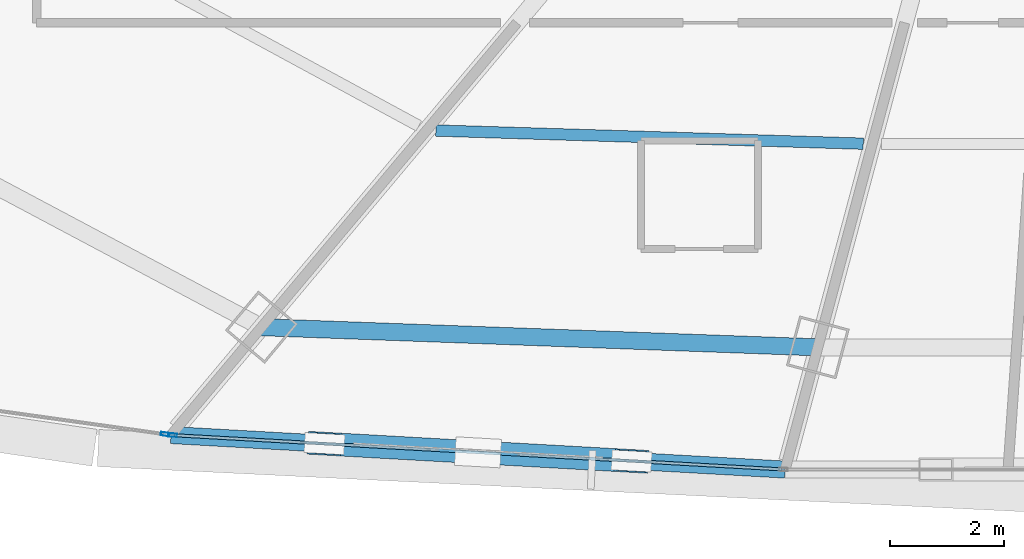
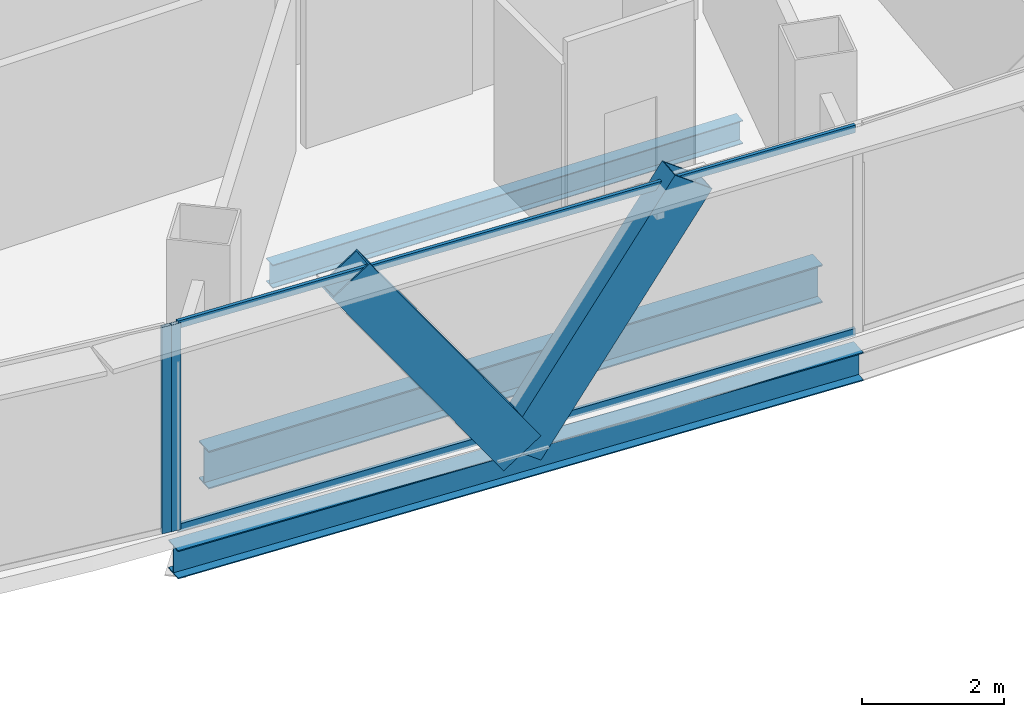
# One storey, part 6 of 40: 6 members, 3 beams, 2 elements without a shape of their own.
"""IFC4 building model written with IfcOpenShell, lengths in metres."""

from ifc_helpers import new_model, si_unit, direction, frame, origin, origin_2d, place, context, subcontext, project, spatial, hollow_rectangle, i_section, extrude, source, transform, mapped, material, layer, layer_set, material_profile, profile_set, type_object, element, aggregate, save


model = new_model("IFC4")

# Units and contexts
model_context = context("Model", 3, precision=1e-05, world=origin(), true_north=direction((0.0, 1.0)))
body_context = subcontext(model_context, "Body", "Model", "MODEL_VIEW")
ifc_project = project(units=[si_unit("LENGTHUNIT", "METRE"), si_unit("AREAUNIT", "SQUARE_METRE"), si_unit("VOLUMEUNIT", "CUBIC_METRE"), si_unit("PLANEANGLEUNIT", "RADIAN"), si_unit("MASSUNIT", "GRAM", prefix="KILO"), si_unit("THERMODYNAMICTEMPERATUREUNIT", "KELVIN"), si_unit("POWERUNIT", "WATT")], contexts=[model_context])

# Site, building, storey
site_placement = place(None, origin())
site = spatial("IfcSite", under=ifc_project, at=site_placement, CompositionType="ELEMENT")
building_placement = place(site_placement, origin())
building = spatial("IfcBuilding", under=site, at=building_placement, Name="Yunzhuo Pagoda Commons", CompositionType="ELEMENT")
storey_placement = place(building_placement, frame((0.0, 0.0, 184.760009765625)))
storey = spatial("IfcBuildingStorey", under=building, at=storey_placement, Name="L46", CompositionType="ELEMENT", Elevation=184.760009765625)

# Beams
ifc_material_1 = material(Name="Structural steel Q355B", Category="steel")
ifc_material_profile_1 = material_profile(ifc_material_1, i_section(OverallWidth=0.300048828125, OverallDepth=0.488037109375, WebThickness=0.010986328125, FlangeThickness=0.01806640625, at=origin_2d()), Name="Structural steel Q355B")
ifc_profile_set_1 = profile_set([ifc_material_profile_1], Name="Structural steel Q355B")
beam_type_1 = type_object("IfcBeamType", Name="B-SP1 Beam HM 488x300x11x18", PredefinedType="BEAM", material=ifc_profile_set_1)
shared_shape_1 = source(origin(), body_context, "Body", "SweptSolid", [
    extrude(i_section(OverallWidth=0.300048828125, OverallDepth=0.488037109375, WebThickness=0.010986328125, FlangeThickness=0.01806640625, at=origin_2d()), origin(), (0.0, 0.0, 1.0), 10.77783203125),
])
beam_1_placement = place(storey_placement, frame((31.95263671875, 14.57568359375, -0.503662109375), z_axis=(0.998422062391, -0.056155011631, 0.0), x_axis=(0.056155011631, 0.998422062391, 0.0)))
element("IfcBeam", 1, at=beam_1_placement, inside=storey, type_object=beam_type_1, Name="L46 facade edge spandrel beam F1.1", PredefinedType="BEAM", context=body_context, shape_type="MappedRepresentation", body=[
    mapped(shared_shape_1, transform((0.0, 0.0, 0.0), scale=1.0)),
])
ifc_material_profile_2 = material_profile(ifc_material_1, i_section(OverallWidth=0.300048828125, OverallDepth=0.64990234375, WebThickness=0.012939453125, FlangeThickness=0.02197265625, at=origin_2d()), Name="Structural steel Q355B")
ifc_profile_set_2 = profile_set([ifc_material_profile_2], Name="Structural steel Q355B")
beam_type_2 = type_object("IfcBeamType", Name="B-RG2 Beam HN 650x300x13x22", PredefinedType="BEAM", material=ifc_profile_set_2)
shared_shape_2 = source(origin(), body_context, "Body", "SweptSolid", [
    extrude(i_section(OverallWidth=0.300048828125, OverallDepth=0.64990234375, WebThickness=0.012939453125, FlangeThickness=0.02197265625, at=origin_2d()), origin(), (0.0, 0.0, 1.0), 9.755126953125),
])
beam_2_placement = place(storey_placement, frame((33.538818359375, 16.4658203125, -0.5849609375), z_axis=(0.999343161351, -0.036238734258, 0.0), x_axis=(0.036238734258, 0.999343161351, 0.0)))
element("IfcBeam", 2, at=beam_2_placement, inside=storey, type_object=beam_type_2, Name="L46 column-ring beam 1", PredefinedType="BEAM", context=body_context, shape_type="MappedRepresentation", body=[
    mapped(shared_shape_2, transform((0.0, 0.0, 0.0), scale=1.0)),
])
ifc_material_profile_3 = material_profile(ifc_material_1, i_section(OverallWidth=0.199951171875, OverallDepth=0.39990234375, WebThickness=0.008056640625, FlangeThickness=0.012939453125, at=origin_2d()), Name="Structural steel Q355B")
ifc_profile_set_3 = profile_set([ifc_material_profile_3], Name="Structural steel Q355B")
beam_type_3 = type_object("IfcBeamType", Name="B-JS1 Joist HN 400x200x8x13", PredefinedType="JOIST", material=ifc_profile_set_3)
shared_shape_3 = source(origin(), body_context, "Body", "SweptSolid", [
    extrude(i_section(OverallWidth=0.199951171875, OverallDepth=0.39990234375, WebThickness=0.008056640625, FlangeThickness=0.012939453125, at=origin_2d()), origin(), (0.0, 0.0, 1.0), 7.49365234375),
])
beam_3_placement = place(storey_placement, frame((36.593505859375, 19.911865234375, -0.4599609375), z_axis=(0.99952593018, -0.030788226605, 0.0), x_axis=(0.030788226605, 0.99952593018, 0.0)))
element("IfcBeam", 3, at=beam_3_placement, inside=storey, type_object=beam_type_3, Name="L46 composite ring joist 2.1", PredefinedType="JOIST", context=body_context, shape_type="MappedRepresentation", body=[
    mapped(shared_shape_3, transform((0.0, 0.0, 0.0), scale=1.0)),
])

# Members
ifc_material_profile_4 = material_profile(ifc_material_1, hollow_rectangle(XDim=0.39990234375, YDim=0.719970703125, WallThickness=0.02392578125, at=origin_2d()), Name="Structural steel Q355B")
ifc_profile_set_4 = profile_set([ifc_material_profile_4], Name="Structural steel Q355B")
member_type_1 = type_object("IfcMemberType", Name="M-DL2 Brace BOX 720x400x24", PredefinedType="BRACE", material=ifc_profile_set_4)
shared_shape_4 = source(origin(), body_context, "Body", "SweptSolid", [
    extrude(hollow_rectangle(XDim=0.39990234375, YDim=0.719970703125, WallThickness=0.02392578125, at=origin_2d()), origin(), (0.0, 0.0, 1.0), 4.658447265625),
])
for number, where, z_axis, x_axis, name in (
    (4, (37.3330078125, 14.27294921875, -0.260009765625), (-0.577495429788, 0.032493617068, 0.815747015578), (-0.056177592441, -0.998420792105, 0.0), "L46 facade diamond brace F1.1L"),
    (5, (37.3330078125, 14.27294921875, -0.260009765625), (0.577495429788, -0.032493617068, 0.815747015578), (0.056177592441, 0.998420792105, 0.0), "L46 facade diamond brace F1.1R"),
):
    element("IfcMember", number, at=place(storey_placement, frame(where, z_axis=z_axis, x_axis=x_axis)), inside=storey, type_object=member_type_1, Name=name, PredefinedType="BRACE", context=body_context, shape_type="MappedRepresentation", body=[
        mapped(shared_shape_4, transform((0.0, 0.0, 0.0), scale=1.0)),
    ])

# Curtain wall, member
ifc_material_2 = material(Name="Anodized aluminium 6063-T6", Category="aluminium")
ifc_layer = layer(ifc_material_2, 0.14990234375)
ifc_layer_set = layer_set([ifc_layer], Name="Anodized aluminium 6063-T6")
curtain_wall_type = type_object("IfcCurtainWallType", Name="CW-MID Mid-Zone Ribbon Curtain Wall", PredefinedType="NOTDEFINED", material=ifc_layer_set)
curtain_wall_1_placement = place(storey_placement, origin())
curtain_wall_1 = element("IfcCurtainWall", 6, at=curtain_wall_1_placement, inside=storey, type_object=curtain_wall_type, Name="L46 curtain wall CW-L46-F1B2", PredefinedType="NOTDEFINED")
ifc_material_profile_5 = material_profile(ifc_material_2, hollow_rectangle(XDim=0.06005859375, YDim=0.14990234375, WallThickness=0.00390625, at=origin_2d()), Name="Anodized aluminium 6063-T6")
ifc_profile_set_5 = profile_set([ifc_material_profile_5], Name="Anodized aluminium 6063-T6")
member_type_2 = type_object("IfcMemberType", Name="CW-MID-M Mullion RHS 150x60x4", PredefinedType="MULLION", material=ifc_profile_set_5)
shared_shape_5 = source(origin(), body_context, "Body", "SweptSolid", [
    extrude(hollow_rectangle(XDim=0.06005859375, YDim=0.14990234375, WallThickness=0.00390625, at=origin_2d()), origin(), (0.0, 0.0, 1.0), 3.5400390625),
])
member_1_placement = place(storey_placement, frame((31.982666015625, 14.573974609375, 0.0), z_axis=(0.0, 0.0, 1.0), x_axis=(0.056142665584, 0.998422756702, 0.0)))
member_1 = element("IfcMember", 7, at=member_1_placement, type_object=member_type_2, Name="CW mullion 1", PredefinedType="MULLION", context=body_context, shape_type="MappedRepresentation", body=[
    mapped(shared_shape_5, transform((0.0, 0.0, 0.0), scale=1.0)),
])

curtain_wall_2_placement = place(storey_placement, origin())
curtain_wall_2 = element("IfcCurtainWall", 8, at=curtain_wall_2_placement, inside=storey, type_object=curtain_wall_type, Name="L46 curtain wall CW-L46-F1B1", PredefinedType="NOTDEFINED")
member_2_placement = place(storey_placement, frame((31.8486328125, 14.590087890625, 0.0), z_axis=(0.0, 0.0, 1.0), x_axis=(0.139233100351, 0.990259634524, 0.0)))
member_2 = element("IfcMember", 9, at=member_2_placement, type_object=member_type_2, Name="CW mullion 2", PredefinedType="MULLION", context=body_context, shape_type="MappedRepresentation", body=[
    mapped(shared_shape_5, transform((0.0, 0.0, 0.0), scale=1.0)),
])
aggregate(curtain_wall_2, [member_2])

# Member
ifc_material_profile_6 = material_profile(ifc_material_2, hollow_rectangle(XDim=0.054931640625, YDim=0.1298828125, WallThickness=0.00341796875, at=origin_2d()), Name="Anodized aluminium 6063-T6")
ifc_profile_set_6 = profile_set([ifc_material_profile_6], Name="Anodized aluminium 6063-T6")
member_type_3 = type_object("IfcMemberType", Name="CW-MID-T Transom RHS 130x55x3.5", PredefinedType="USERDEFINED", material=ifc_profile_set_6)
shared_shape_6 = source(origin(), body_context, "Body", "SweptSolid", [
    extrude(hollow_rectangle(XDim=0.054931640625, YDim=0.1298828125, WallThickness=0.00341796875, at=origin_2d()), origin(), (0.0, 0.0, 1.0), 10.658203125),
])
member_3_placement = place(storey_placement, frame((32.012451171875, 14.572265625, 0.027587890625), z_axis=(0.998422700359, -0.056143667575, 0.0), x_axis=(0.056143667575, 0.998422700359, 0.0)))
member_3 = element("IfcMember", 10, at=member_3_placement, type_object=member_type_3, Name="CW transom 1.1", ObjectType="TRANSOM", PredefinedType="USERDEFINED", context=body_context, shape_type="MappedRepresentation", body=[
    mapped(shared_shape_6, transform((0.0, 0.0, 0.0), scale=1.0)),
])

member_4_placement = place(storey_placement, frame((32.012451171875, 14.572265625, 3.512451171875), z_axis=(0.998422700359, -0.056143667575, 0.0), x_axis=(0.056143667575, 0.998422700359, 0.0)))
member_4 = element("IfcMember", 11, at=member_4_placement, type_object=member_type_3, Name="CW transom 1.2", ObjectType="TRANSOM", PredefinedType="USERDEFINED", context=body_context, shape_type="MappedRepresentation", body=[
    mapped(shared_shape_6, transform((0.0, 0.0, 0.0), scale=1.0)),
])

aggregate(curtain_wall_1, [member_1, member_3, member_4])

save(model, "model.ifc")
